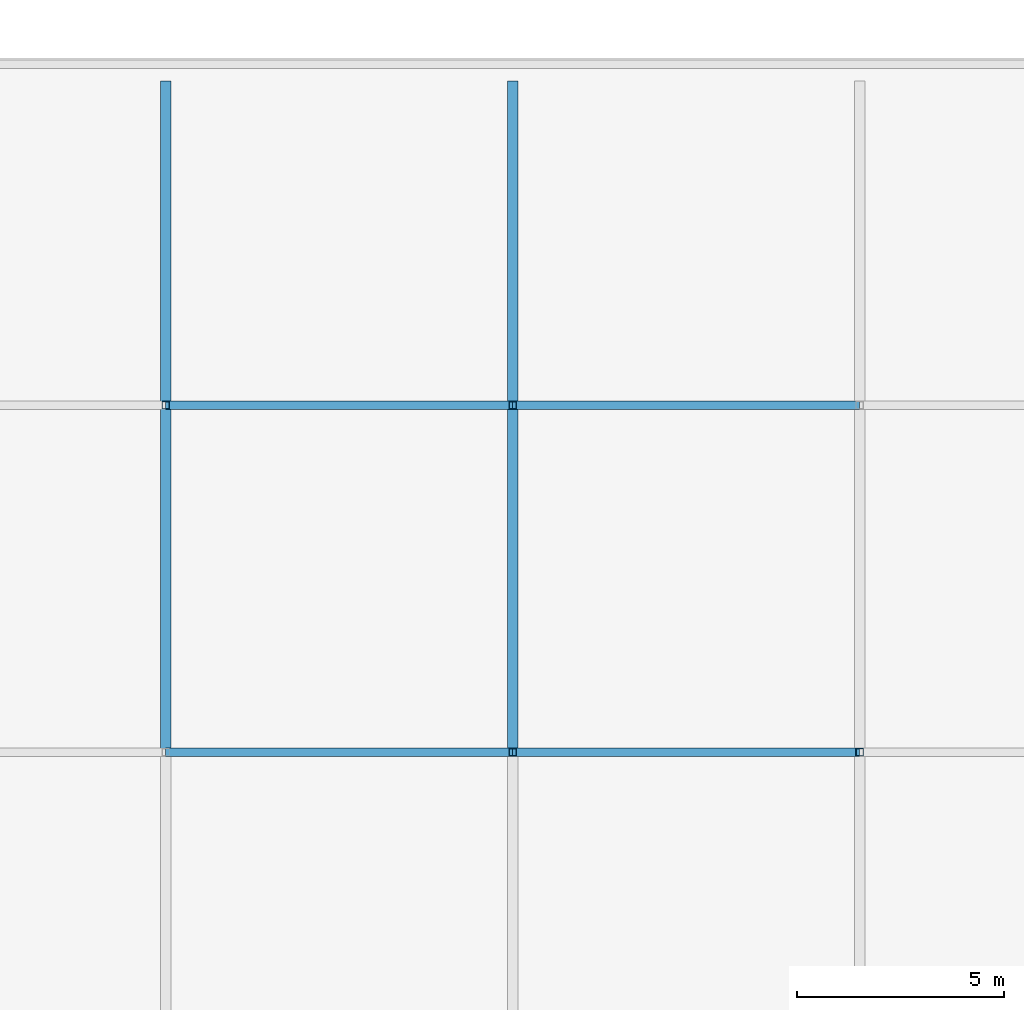
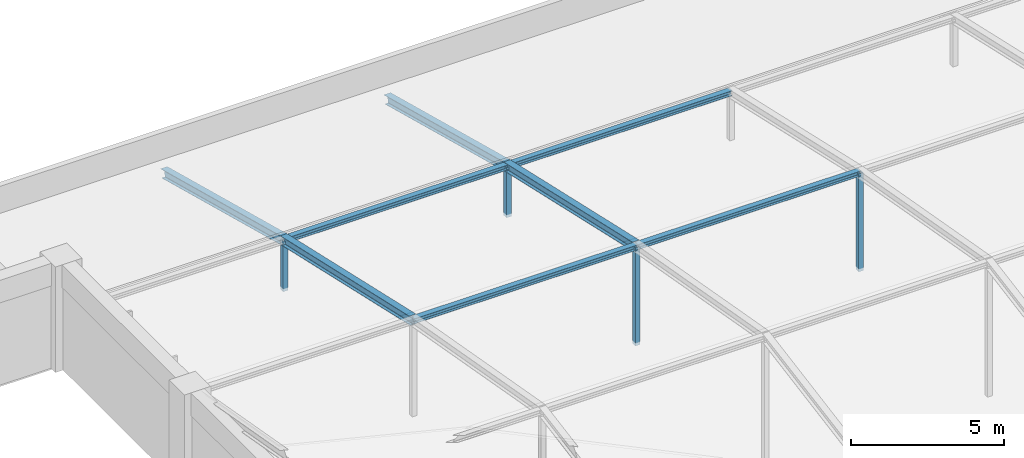
# One storey, part 14 of 34: 12 members.
"""IFC4 building model written with IfcOpenShell, lengths in metres."""

from ifc_helpers import new_model, si_unit, direction, frame, origin, origin_2d, place, context, subcontext, project, spatial, hollow_rectangle, i_section, extrude, material, material_profile, profile_set, type_object, element, save


model = new_model("IFC4")

# Units and contexts
model_context = context("Model", 3, precision=1e-05, world=origin(), true_north=direction((0.0, 1.0)))
body_context = subcontext(model_context, "Body", "Model", "MODEL_VIEW")
ifc_project = project(units=[si_unit("LENGTHUNIT", "METRE"), si_unit("AREAUNIT", "SQUARE_METRE"), si_unit("VOLUMEUNIT", "CUBIC_METRE"), si_unit("PLANEANGLEUNIT", "RADIAN"), si_unit("MASSUNIT", "GRAM", prefix="KILO")], contexts=[model_context])

# Site, building, storey
site_placement = place(None, origin())
site = spatial("IfcSite", under=ifc_project, at=site_placement, CompositionType="ELEMENT")
building_placement = place(site_placement, origin())
building = spatial("IfcBuilding", under=site, at=building_placement, Name="Xuanlan Plaza Opera House", CompositionType="ELEMENT")
storey_placement = place(building_placement, frame((0.0, 0.0, 27.89990234375)))
storey = spatial("IfcBuildingStorey", under=building, at=storey_placement, Name="L06", CompositionType="ELEMENT", Elevation=27.89990234375)

# Members
ifc_material = material(Name="Steel Q355B", Category="steel")
ifc_material_profile_1 = material_profile(ifc_material, hollow_rectangle(XDim=0.179931640625, YDim=0.179931640625, WallThickness=0.010009765625, at=origin_2d()), Name="SHS 180x180x10")
ifc_profile_set_1 = profile_set([ifc_material_profile_1], Name="Steel Q355B")
member_type_1 = type_object("IfcMemberType", Name="STR-MEM-ST-M2", PredefinedType="STRUT", material=ifc_profile_set_1)
member_1_placement = place(storey_placement, frame((75.60009765625, 75.60009765625, -0.119873046875), z_axis=(0.0, 0.0, 1.0), x_axis=(1.0, 0.0, 0.0)))
element("IfcMember", 1, at=member_1_placement, inside=storey, type_object=member_type_1, Name="Auditorium Vault Arch Post 02-5", PredefinedType="STRUT", context=body_context, shape_type="SweptSolid", body=[
    extrude(hollow_rectangle(XDim=0.179931640625, YDim=0.179931640625, WallThickness=0.010009765625, at=origin_2d()), origin(), (0.0, 0.0, 1.0), 2.0),
])
member_2_placement = place(storey_placement, frame((84.0, 67.199951171875, -0.119873046875), z_axis=(0.0, 0.0, 1.0), x_axis=(1.0, 0.0, 0.0)))
element("IfcMember", 2, at=member_2_placement, inside=storey, type_object=member_type_1, Name="Auditorium Vault Arch Post 03-4", PredefinedType="STRUT", context=body_context, shape_type="SweptSolid", body=[
    extrude(hollow_rectangle(XDim=0.179931640625, YDim=0.179931640625, WallThickness=0.010009765625, at=origin_2d()), origin(), (0.0, 0.0, 1.0), 3.89990234375),
])
member_3_placement = place(storey_placement, frame((84.0, 75.60009765625, -0.119873046875), z_axis=(0.0, 0.0, 1.0), x_axis=(1.0, 0.0, 0.0)))
element("IfcMember", 3, at=member_3_placement, inside=storey, type_object=member_type_1, Name="Auditorium Vault Arch Post 03-5", PredefinedType="STRUT", context=body_context, shape_type="SweptSolid", body=[
    extrude(hollow_rectangle(XDim=0.179931640625, YDim=0.179931640625, WallThickness=0.010009765625, at=origin_2d()), origin(), (0.0, 0.0, 1.0), 2.0),
])
member_4_placement = place(storey_placement, frame((92.39990234375, 67.199951171875, -0.119873046875), z_axis=(0.0, 0.0, 1.0), x_axis=(1.0, 0.0, 0.0)))
element("IfcMember", 4, at=member_4_placement, inside=storey, type_object=member_type_1, Name="Auditorium Vault Arch Post 04-4", PredefinedType="STRUT", context=body_context, shape_type="SweptSolid", body=[
    extrude(hollow_rectangle(XDim=0.179931640625, YDim=0.179931640625, WallThickness=0.010009765625, at=origin_2d()), origin(), (0.0, 0.0, 1.0), 3.89990234375),
])
ifc_material_profile_2 = material_profile(ifc_material, i_section(OverallWidth=0.25, OverallDepth=0.340087890625, WebThickness=0.009033203125, FlangeThickness=0.013916015625, FilletRadius=0.01611328125, at=origin_2d()), Name="HM 340x250x9x14")
ifc_profile_set_2 = profile_set([ifc_material_profile_2], Name="Steel Q355B")
member_type_2 = type_object("IfcMemberType", Name="STR-MEM-TC-01", PredefinedType="CHORD", material=ifc_profile_set_2)
member_5_placement = place(storey_placement, frame((75.60009765625, 67.199951171875, 3.780029296875), z_axis=(0.0, 0.975363729385, -0.220602800072), x_axis=(-1.0, 0.0, 0.0)))
element("IfcMember", 5, at=member_5_placement, inside=storey, type_object=member_type_2, Name="Auditorium Parabolic Vault Arch Chord 02-5", PredefinedType="CHORD", context=body_context, shape_type="SweptSolid", body=[
    extrude(i_section(OverallWidth=0.25, OverallDepth=0.340087890625, WebThickness=0.009033203125, FlangeThickness=0.013916015625, FilletRadius=0.01611328125, at=origin_2d()), origin(), (0.0, 0.0, 1.0), 8.6123046875),
])
member_6_placement = place(storey_placement, frame((75.60009765625, 75.60009765625, 1.880126953125), z_axis=(0.0, 0.96684599926, -0.255360164698), x_axis=(-1.0, 0.0, 0.0)))
element("IfcMember", 6, at=member_6_placement, inside=storey, type_object=member_type_2, Name="Auditorium Parabolic Vault Arch Chord 02-6", PredefinedType="CHORD", context=body_context, shape_type="SweptSolid", body=[
    extrude(i_section(OverallWidth=0.25, OverallDepth=0.340087890625, WebThickness=0.009033203125, FlangeThickness=0.013916015625, FilletRadius=0.01611328125, at=origin_2d()), origin(), (0.0, 0.0, 1.0), 8.0673828125),
])
member_7_placement = place(storey_placement, frame((84.0, 67.199951171875, 3.780029296875), z_axis=(0.0, 0.975363729385, -0.220602800072), x_axis=(-1.0, 0.0, 0.0)))
element("IfcMember", 7, at=member_7_placement, inside=storey, type_object=member_type_2, Name="Auditorium Parabolic Vault Arch Chord 03-5", PredefinedType="CHORD", context=body_context, shape_type="SweptSolid", body=[
    extrude(i_section(OverallWidth=0.25, OverallDepth=0.340087890625, WebThickness=0.009033203125, FlangeThickness=0.013916015625, FilletRadius=0.01611328125, at=origin_2d()), origin(), (0.0, 0.0, 1.0), 8.6123046875),
])
member_8_placement = place(storey_placement, frame((84.0, 75.60009765625, 1.880126953125), z_axis=(0.0, 0.96684599926, -0.255360164698), x_axis=(-1.0, 0.0, 0.0)))
element("IfcMember", 8, at=member_8_placement, inside=storey, type_object=member_type_2, Name="Auditorium Parabolic Vault Arch Chord 03-6", PredefinedType="CHORD", context=body_context, shape_type="SweptSolid", body=[
    extrude(i_section(OverallWidth=0.25, OverallDepth=0.340087890625, WebThickness=0.009033203125, FlangeThickness=0.013916015625, FilletRadius=0.01611328125, at=origin_2d()), origin(), (0.0, 0.0, 1.0), 8.0673828125),
])
ifc_material_profile_3 = material_profile(ifc_material, i_section(OverallWidth=0.199951171875, OverallDepth=0.199951171875, WebThickness=0.008056640625, FlangeThickness=0.011962890625, FilletRadius=0.012939453125, at=origin_2d()), Name="HW 200x200x8x12")
ifc_profile_set_3 = profile_set([ifc_material_profile_3], Name="Steel Q355B")
member_type_3 = type_object("IfcMemberType", Name="STR-MEM-TC-02", PredefinedType="CHORD", material=ifc_profile_set_3)
for number, where, z_axis, x_axis, name in (
    (9, (75.60009765625, 67.199951171875, 3.780029296875), (1.0, 0.0, 0.0), (0.0, 1.0, 0.0), "Auditorium Vault Longitudinal Chord 02-4"),
    (10, (75.60009765625, 75.60009765625, 1.880126953125), (1.0, 0.0, 0.0), (0.0, 1.0, 0.0), "Auditorium Vault Longitudinal Chord 02-5"),
    (11, (84.0, 67.199951171875, 3.780029296875), (1.0, 0.0, 0.0), (0.0, 1.0, 0.0), "Auditorium Vault Longitudinal Chord 03-4"),
    (12, (84.0, 75.60009765625, 1.880126953125), (1.0, 0.0, 0.0), (0.0, 1.0, 0.0), "Auditorium Vault Longitudinal Chord 03-5"),
):
    element("IfcMember", number, at=place(storey_placement, frame(where, z_axis=z_axis, x_axis=x_axis)), inside=storey, type_object=member_type_3, Name=name, PredefinedType="CHORD", context=body_context, shape_type="SweptSolid", body=[
        extrude(i_section(OverallWidth=0.199951171875, OverallDepth=0.199951171875, WebThickness=0.008056640625, FlangeThickness=0.011962890625, FilletRadius=0.012939453125, at=origin_2d()), origin(), (0.0, 0.0, 1.0), 8.39990234375),
    ])

save(model, "model.ifc")
